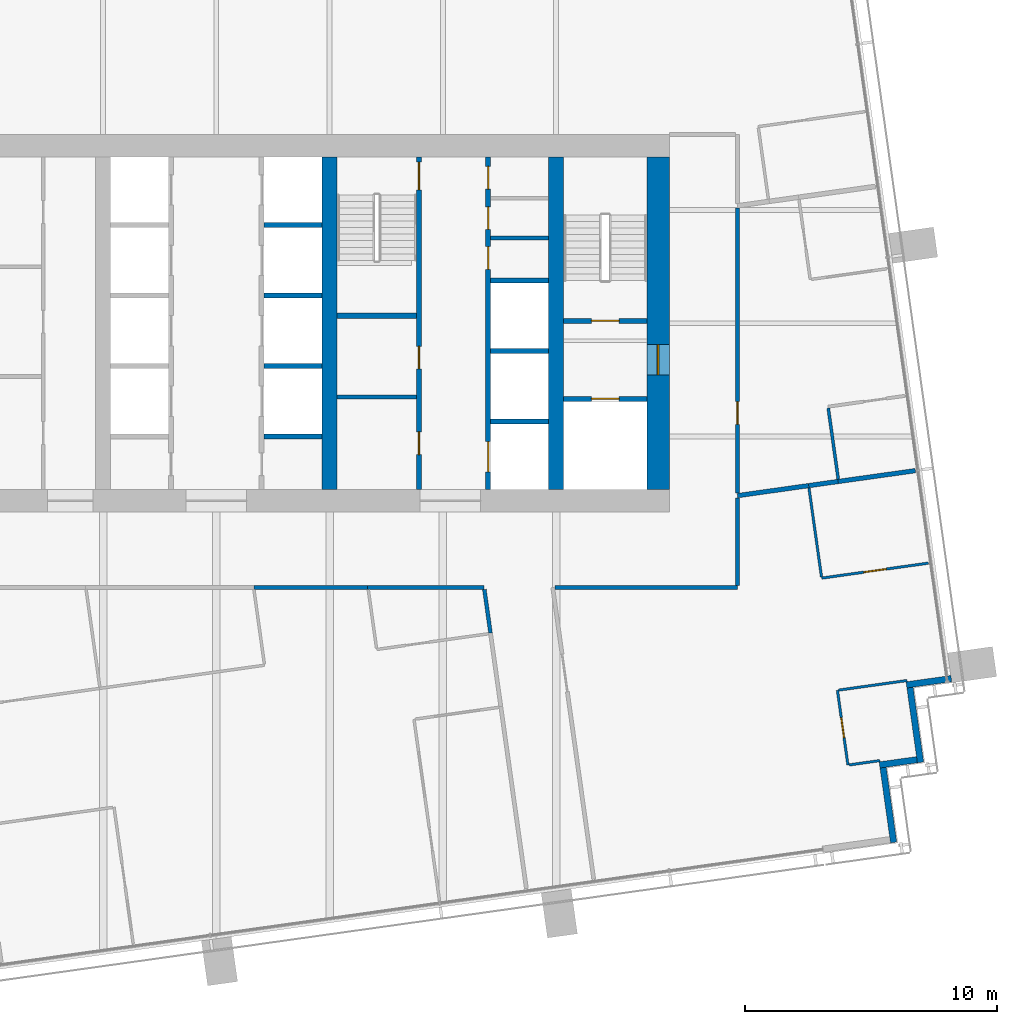
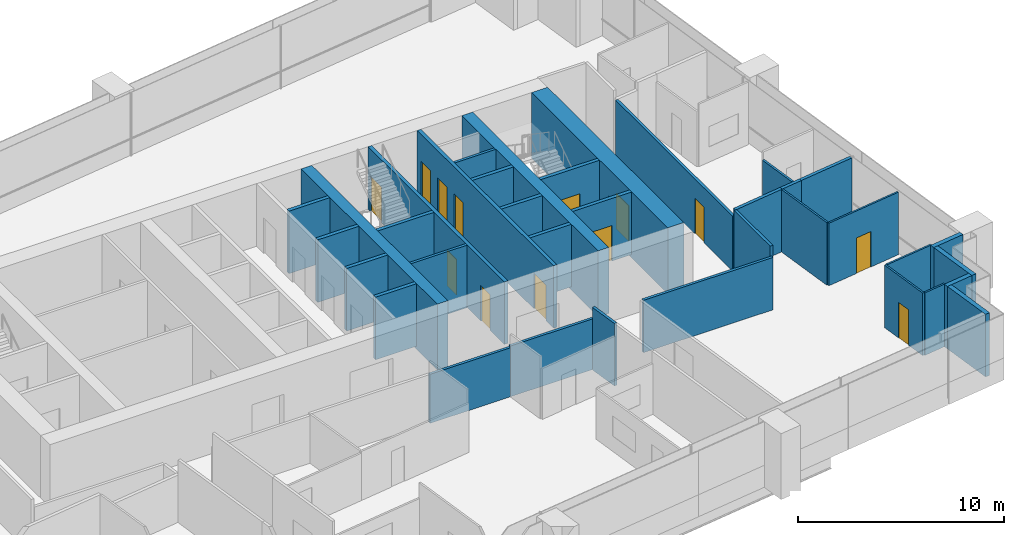
# One storey, part 11 of 18: 36 walls, 13 doors, 13 openings.
"""IFC4 building model written with IfcOpenShell, lengths in metres."""

from ifc_helpers import new_model, si_unit, direction, frame, frame_2d, origin, place, context, subcontext, project, spatial, rectangle, extrude, material, layer, layer_set, type_object, element, fill, save


model = new_model("IFC4")

# Units and contexts
model_context = context("Model", 3, precision=1e-05, world=origin(), true_north=direction((0.0, 1.0)))
body_context = subcontext(model_context, "Body", "Model", "MODEL_VIEW")
ifc_project = project(units=[si_unit("LENGTHUNIT", "METRE"), si_unit("AREAUNIT", "SQUARE_METRE"), si_unit("VOLUMEUNIT", "CUBIC_METRE"), si_unit("PLANEANGLEUNIT", "RADIAN"), si_unit("MASSUNIT", "GRAM", prefix="KILO")], contexts=[model_context])

# Site, building, storey
site_placement = place(None, origin())
site = spatial("IfcSite", under=ifc_project, at=site_placement, CompositionType="ELEMENT")
building_placement = place(site_placement, origin())
building = spatial("IfcBuilding", under=site, at=building_placement, Name="Rattan Terrace Tower", CompositionType="ELEMENT")
storey_placement = place(building_placement, frame((0.0, 0.0, 188.0)))
storey = spatial("IfcBuildingStorey", under=building, at=storey_placement, Name="L43", CompositionType="ELEMENT", Elevation=188.0)

# Walls
ifc_material_1 = material(Name="Gypsum board partition")
ifc_layer_1 = layer(ifc_material_1, 0.14990234375)
ifc_layer_set_1 = layer_set([ifc_layer_1], Name="Core partition 150")
wall_type_1 = type_object("IfcWallType", Name="Core partition 150", PredefinedType="PARTITIONING", material=ifc_layer_set_1)
wall_1_placement = place(storey_placement, frame((4.800048828125, -2.927978515625, 0.0), z_axis=(0.0, 0.0, 1.0), x_axis=(1.0, 0.0, 0.0)))
element("IfcWall", 1, at=wall_1_placement, inside=storey, type_object=wall_type_1, Name="Toilet wall", PredefinedType="PARTITIONING", context=body_context, shape_type="SweptSolid", body=[
    extrude(rectangle(XDim=3.14990234375, YDim=0.14990234375, at=frame_2d((1.574951171875, 0.0))), origin(), (0.0, 0.0, 1.0), 3.699951171875),
])
wall_2_placement = place(storey_placement, frame((10.89990234375, 3.384033203125, 0.0), z_axis=(0.0, 0.0, 1.0), x_axis=(1.0, 0.0, 0.0)))
element("IfcWall", 2, at=wall_2_placement, inside=storey, type_object=wall_type_1, Name="Riser room wall", PredefinedType="PARTITIONING", context=body_context, shape_type="SweptSolid", body=[
    extrude(rectangle(XDim=2.300048828125, YDim=0.14990234375, at=frame_2d((1.14990234375, 0.0))), origin(), (0.0, 0.0, 1.0), 3.699951171875),
])

# Wall, opening, door
ifc_material_2 = material(Name="Gypsum board partition")
ifc_layer_2 = layer(ifc_material_2, 0.199951171875)
ifc_layer_set_2 = layer_set([ifc_layer_2], Name="Core partition 200")
wall_type_2 = type_object("IfcWallType", Name="Core partition 200", PredefinedType="PARTITIONING", material=ifc_layer_set_2)
wall_3_placement = place(storey_placement, frame((13.800048828125, -3.0, 0.0), z_axis=(0.0, 0.0, 1.0), x_axis=(1.0, 0.0, 0.0)))
wall_3 = element("IfcWall", 3, at=wall_3_placement, inside=storey, type_object=wall_type_2, Name="Fire-fighting lobby wall", PredefinedType="PARTITIONING", context=body_context, shape_type="SweptSolid", body=[
    extrude(rectangle(XDim=3.300048828125, YDim=0.199951171875, at=frame_2d((1.64990234375, 0.0))), origin(), (0.0, 0.0, 1.0), 3.699951171875),
])
opening_1_placement = place(wall_3_placement, frame((1.10009765625, 0.0, 0.0)))
opening_1 = element("IfcOpeningElement", 4, at=opening_1_placement, cuts=wall_3, Name="Opening L43-LD-FF2", PredefinedType="OPENING", context=body_context, shape_type="SweptSolid", body=[
    extrude(rectangle(XDim=1.10009765625, YDim=2.10009765625, at=frame_2d((0.550048828125, 1.050048828125))), frame((0.0, 0.110595703125, 0.0), z_axis=(0.0, -1.0, 0.0), x_axis=(1.0, 0.0, 0.0)), (0.0, 0.0, 1.0), 0.220947265625),
])
ifc_material_3 = material(Name="Brushed stainless landing door panel")
door_type_1 = type_object("IfcDoorType", Name="Core lift landing door 1100", OperationType="DOUBLE_DOOR_SLIDING", PredefinedType="DOOR", material=ifc_material_3)
door_1_placement = place(opening_1_placement, origin())
door_1 = element("IfcDoor", 5, at=door_1_placement, inside=storey, type_object=door_type_1, Name="Door L43-LD-FF2", OperationType="DOUBLE_DOOR_SLIDING", OverallHeight=2.10009765625, OverallWidth=1.10009765625, PredefinedType="DOOR", context=body_context, shape_type="SweptSolid", body=[
    extrude(rectangle(XDim=1.10009765625, YDim=2.10009765625, at=frame_2d((0.550048828125, 1.050048828125))), frame((0.0, 0.02490234375, 0.0), z_axis=(0.0, -1.0, 0.0), x_axis=(1.0, 0.0, 0.0)), (0.0, 0.0, 1.0), 0.050048828125),
])
fill(opening_1, door_1)

wall_4_placement = place(storey_placement, frame((13.800048828125, 0.10009765625, 0.0), z_axis=(0.0, 0.0, 1.0), x_axis=(1.0, 0.0, 0.0)))
wall_4 = element("IfcWall", 6, at=wall_4_placement, inside=storey, type_object=wall_type_2, Name="Stair enclosure wall", PredefinedType="PARTITIONING", context=body_context, shape_type="SweptSolid", body=[
    extrude(rectangle(XDim=3.300048828125, YDim=0.199951171875, at=frame_2d((1.64990234375, 0.0))), origin(), (0.0, 0.0, 1.0), 3.699951171875),
])
opening_2_placement = place(wall_4_placement, frame((1.10009765625, 0.0, 0.0)))
opening_2 = element("IfcOpeningElement", 7, at=opening_2_placement, cuts=wall_4, Name="Opening L43-D004", PredefinedType="OPENING", context=body_context, shape_type="SweptSolid", body=[
    extrude(rectangle(XDim=1.10009765625, YDim=2.10009765625, at=frame_2d((0.550048828125, 1.050048828125))), frame((0.0, 0.110595703125, 0.0), z_axis=(0.0, -1.0, 0.0), x_axis=(1.0, 0.0, 0.0)), (0.0, 0.0, 1.0), 0.220947265625),
])
ifc_material_4 = material(Name="Hollow-metal fire door leaf")
door_type_2 = type_object("IfcDoorType", Name="Core stair door 1100", OperationType="NOTDEFINED", PredefinedType="DOOR", material=ifc_material_4)
door_2_placement = place(opening_2_placement, origin())
door_2 = element("IfcDoor", 8, at=door_2_placement, inside=storey, type_object=door_type_2, Name="Door L43-D004", OperationType="SINGLE_SWING_RIGHT", OverallHeight=2.10009765625, OverallWidth=1.10009765625, PredefinedType="DOOR", context=body_context, shape_type="SweptSolid", body=[
    extrude(rectangle(XDim=1.10009765625, YDim=2.10009765625, at=frame_2d((0.550048828125, 1.050048828125))), frame((0.0, 0.02490234375, 0.0), z_axis=(0.0, -1.0, 0.0), x_axis=(1.0, 0.0, 0.0)), (0.0, 0.0, 1.0), 0.050048828125),
])
fill(opening_2, door_2)

# Wall, openings, doors
wall_5_placement = place(storey_placement, frame((8.050048828125, -6.60009765625, 0.0), z_axis=(0.0, 0.0, 1.0), x_axis=(0.0, 1.0, 0.0)))
wall_5 = element("IfcWall", 9, at=wall_5_placement, inside=storey, type_object=wall_type_2, Name="Lobby wall west", PredefinedType="PARTITIONING", context=body_context, shape_type="SweptSolid", body=[
    extrude(rectangle(XDim=13.2001953125, YDim=0.199951171875, at=frame_2d((6.60009765625, 0.0))), origin(), (0.0, 0.0, 1.0), 3.699951171875),
])
opening_3_placement = place(wall_5_placement, frame((1.385986328125, 0.0, 0.0)))
opening_3 = element("IfcOpeningElement", 10, at=opening_3_placement, cuts=wall_5, Name="Opening L43-D012", PredefinedType="OPENING", context=body_context, shape_type="SweptSolid", body=[
    extrude(rectangle(XDim=0.89990234375, YDim=2.10009765625, at=frame_2d((0.449951171875, 1.050048828125))), frame((0.0, 0.110595703125, 0.0), z_axis=(0.0, -1.0, 0.0), x_axis=(1.0, 0.0, 0.0)), (0.0, 0.0, 1.0), 0.220947265625),
])
opening_4_placement = place(wall_5_placement, frame((4.785888671875, 0.0, 0.0)))
opening_4 = element("IfcOpeningElement", 11, at=opening_4_placement, cuts=wall_5, Name="Opening L43-D013", PredefinedType="OPENING", context=body_context, shape_type="SweptSolid", body=[
    extrude(rectangle(XDim=0.89990234375, YDim=2.10009765625, at=frame_2d((0.449951171875, 1.050048828125))), frame((0.0, 0.110595703125, 0.0), z_axis=(0.0, -1.0, 0.0), x_axis=(1.0, 0.0, 0.0)), (0.0, 0.0, 1.0), 0.220947265625),
])
opening_5_placement = place(wall_5_placement, frame((11.89990234375, 0.0, 0.0)))
opening_5 = element("IfcOpeningElement", 12, at=opening_5_placement, cuts=wall_5, Name="Opening L43-D014", PredefinedType="OPENING", context=body_context, shape_type="SweptSolid", body=[
    extrude(rectangle(XDim=1.10009765625, YDim=2.10009765625, at=frame_2d((0.550048828125, 1.050048828125))), frame((0.0, 0.110595703125, 0.0), z_axis=(0.0, -1.0, 0.0), x_axis=(1.0, 0.0, 0.0)), (0.0, 0.0, 1.0), 0.220947265625),
])
door_3_placement = place(opening_5_placement, origin())
door_3 = element("IfcDoor", 13, at=door_3_placement, inside=storey, type_object=door_type_2, Name="Door L43-D014", OperationType="SINGLE_SWING_LEFT", OverallHeight=2.10009765625, OverallWidth=1.10009765625, PredefinedType="DOOR", context=body_context, shape_type="SweptSolid", body=[
    extrude(rectangle(XDim=1.10009765625, YDim=2.10009765625, at=frame_2d((0.550048828125, 1.050048828125))), frame((0.0, 0.02490234375, 0.0), z_axis=(0.0, -1.0, 0.0), x_axis=(1.0, 0.0, 0.0)), (0.0, 0.0, 1.0), 0.050048828125),
])
fill(opening_5, door_3)
ifc_material_5 = material(Name="Hollow-metal fire door leaf")
door_type_3 = type_object("IfcDoorType", Name="Core toilet door 900", OperationType="NOTDEFINED", PredefinedType="DOOR", material=ifc_material_5)
door_4_placement = place(opening_3_placement, origin())
door_4 = element("IfcDoor", 14, at=door_4_placement, inside=storey, type_object=door_type_3, Name="Door L43-D012", OperationType="SINGLE_SWING_LEFT", OverallHeight=2.10009765625, OverallWidth=0.89990234375, PredefinedType="DOOR", context=body_context, shape_type="SweptSolid", body=[
    extrude(rectangle(XDim=0.89990234375, YDim=2.10009765625, at=frame_2d((0.449951171875, 1.050048828125))), frame((0.0, 0.02490234375, 0.0), z_axis=(0.0, -1.0, 0.0), x_axis=(1.0, 0.0, 0.0)), (0.0, 0.0, 1.0), 0.050048828125),
])
fill(opening_3, door_4)
door_5_placement = place(opening_4_placement, origin())
door_5 = element("IfcDoor", 15, at=door_5_placement, inside=storey, type_object=door_type_3, Name="Door L43-D013", OperationType="SINGLE_SWING_RIGHT", OverallHeight=2.10009765625, OverallWidth=0.89990234375, PredefinedType="DOOR", context=body_context, shape_type="SweptSolid", body=[
    extrude(rectangle(XDim=0.89990234375, YDim=2.10009765625, at=frame_2d((0.449951171875, 1.050048828125))), frame((0.0, 0.02490234375, 0.0), z_axis=(0.0, -1.0, 0.0), x_axis=(1.0, 0.0, 0.0)), (0.0, 0.0, 1.0), 0.050048828125),
])
fill(opening_4, door_5)

# Wall
wall_6_placement = place(storey_placement, frame((4.800048828125, 0.300048828125, 0.0), z_axis=(0.0, 0.0, 1.0), x_axis=(1.0, 0.0, 0.0)))
element("IfcWall", 16, at=wall_6_placement, inside=storey, type_object=wall_type_2, Name="Stair enclosure wall", PredefinedType="PARTITIONING", context=body_context, shape_type="SweptSolid", body=[
    extrude(rectangle(XDim=3.14990234375, YDim=0.199951171875, at=frame_2d((1.574951171875, 0.0))), origin(), (0.0, 0.0, 1.0), 3.699951171875),
])

# Wall, opening, door
ifc_material_6 = material(Name="Concrete C60/75", Category="concrete")
ifc_layer_3 = layer(ifc_material_6, 0.89990234375)
ifc_layer_set_3 = layer_set([ifc_layer_3], Name="Core ring wall 900 C60/75")
wall_type_3 = type_object("IfcWallType", Name="Core ring wall 900 C60/75", PredefinedType="SHEAR", material=ifc_layer_set_3)
wall_7_placement = place(storey_placement, frame((17.550048828125, -6.60009765625, -0.199951171875), z_axis=(0.0, 0.0, 1.0), x_axis=(0.0, 1.0, 0.0)))
wall_7 = element("IfcWall", 17, at=wall_7_placement, inside=storey, type_object=wall_type_3, Name="Rear core wall east", PredefinedType="SHEAR", context=body_context, shape_type="SweptSolid", body=[
    extrude(rectangle(XDim=13.2001953125, YDim=0.89990234375, at=frame_2d((6.60009765625, 0.0))), origin(), (0.0, 0.0, 1.0), 3.89990234375),
])
opening_6_placement = place(wall_7_placement, frame((4.550048828125, 0.0, 0.199951171875)))
opening_6 = element("IfcOpeningElement", 18, at=opening_6_placement, cuts=wall_7, Name="Opening L43-D003", PredefinedType="OPENING", context=body_context, shape_type="SweptSolid", body=[
    extrude(rectangle(XDim=1.199951171875, YDim=2.10009765625, at=frame_2d((0.60009765625, 1.050048828125))), frame((0.0, 0.46044921875, 0.0), z_axis=(0.0, -1.0, 0.0), x_axis=(1.0, 0.0, 0.0)), (0.0, 0.0, 1.0), 0.9208984375),
])
ifc_material_7 = material(Name="Hollow-metal fire door leaf")
door_type_4 = type_object("IfcDoorType", Name="Core fire-fighting lobby door 1200", OperationType="NOTDEFINED", PredefinedType="DOOR", material=ifc_material_7)
door_6_placement = place(opening_6_placement, origin())
door_6 = element("IfcDoor", 19, at=door_6_placement, inside=storey, type_object=door_type_4, Name="Door L43-D003", OperationType="SINGLE_SWING_LEFT", OverallHeight=2.10009765625, OverallWidth=1.199951171875, PredefinedType="DOOR", context=body_context, shape_type="SweptSolid", body=[
    extrude(rectangle(XDim=1.199951171875, YDim=2.10009765625, at=frame_2d((0.60009765625, 1.050048828125))), frame((0.0, 0.02490234375, 0.0), z_axis=(0.0, -1.0, 0.0), x_axis=(1.0, 0.0, 0.0)), (0.0, 0.0, 1.0), 0.050048828125),
])
fill(opening_6, door_6)

# Walls
ifc_material_8 = material(Name="Concrete C60/75", Category="concrete")
ifc_layer_4 = layer(ifc_material_8, 0.60009765625)
ifc_layer_set_4 = layer_set([ifc_layer_4], Name="Core spine wall 600 C60/75")
wall_type_4 = type_object("IfcWallType", Name="Core spine wall 600 C60/75", PredefinedType="SHEAR", material=ifc_layer_set_4)
for number, where, z_axis, x_axis, name in (
    (20, (4.5, -6.60009765625, -0.199951171875), (0.0, 0.0, 1.0), (0.0, 1.0, 0.0), "Core spine wall 3"),
    (21, (13.5, -6.60009765625, -0.199951171875), (0.0, 0.0, 1.0), (0.0, 1.0, 0.0), "Core spine wall 4"),
):
    element("IfcWall", number, at=place(storey_placement, frame(where, z_axis=z_axis, x_axis=x_axis)), inside=storey, type_object=wall_type_4, Name=name, PredefinedType="SHEAR", context=body_context, shape_type="SweptSolid", body=[
        extrude(rectangle(XDim=13.2001953125, YDim=0.60009765625, at=frame_2d((6.60009765625, 0.0))), origin(), (0.0, 0.0, 1.0), 3.89990234375),
    ])
ifc_material_9 = material(Name="Insulated aluminium-clad stud wall", Category="aluminium")
ifc_layer_5 = layer(ifc_material_9, 0.25)
ifc_layer_set_5 = layer_set([ifc_layer_5], Name="Facade Riser Wall 250")
wall_type_5 = type_object("IfcWallType", Name="Facade Riser Wall 250", PredefinedType="SOLIDWALL", material=ifc_layer_set_5)
wall_8_placement = place(storey_placement, frame((26.9052734375, -20.6220703125, 0.0), z_axis=(0.0, 0.0, 1.0), x_axis=(-0.139313431826, 0.990248336385, 0.0)))
element("IfcWall", 22, at=wall_8_placement, inside=storey, type_object=wall_type_5, Name="Riser wall L43-2", PredefinedType="SOLIDWALL", context=body_context, shape_type="SweptSolid", body=[
    extrude(rectangle(XDim=3.000244140625, YDim=0.25, at=frame_2d((1.5, 0.0))), origin(), (0.0, 0.0, 1.0), 3.699951171875),
])
wall_9_placement = place(storey_placement, frame((26.34619140625, -17.54443359375, 0.0), z_axis=(0.0, 0.0, 1.0), x_axis=(0.990368090482, 0.13845954411, 0.0)))
element("IfcWall", 23, at=wall_9_placement, inside=storey, type_object=wall_type_5, Name="Riser wall L43-3", PredefinedType="SOLIDWALL", context=body_context, shape_type="SweptSolid", body=[
    extrude(rectangle(XDim=1.50048828125, YDim=0.25, at=frame_2d((0.750244140625, 0.0))), origin(), (0.0, 0.0, 1.0), 3.699951171875),
])
wall_10_placement = place(storey_placement, frame((27.973388671875, -17.443115234375, 0.0), z_axis=(0.0, 0.0, 1.0), x_axis=(-0.139313431826, 0.990248336385, 0.0)))
element("IfcWall", 24, at=wall_10_placement, inside=storey, type_object=wall_type_5, Name="Riser wall L43-4", PredefinedType="SOLIDWALL", context=body_context, shape_type="SweptSolid", body=[
    extrude(rectangle(XDim=3.000244140625, YDim=0.25, at=frame_2d((1.5, 0.0))), origin(), (0.0, 0.0, 1.0), 3.699951171875),
])
wall_11_placement = place(storey_placement, frame((27.414306640625, -14.36572265625, 0.0), z_axis=(0.0, 0.0, 1.0), x_axis=(0.990256286673, 0.139256908998, 0.0)))
element("IfcWall", 25, at=wall_11_placement, inside=storey, type_object=wall_type_5, Name="Riser wall L43-5", PredefinedType="SOLIDWALL", context=body_context, shape_type="SweptSolid", body=[
    extrude(rectangle(XDim=1.800537109375, YDim=0.25, at=frame_2d((0.900390625, 0.0))), origin(), (0.0, 0.0, 1.0), 3.699951171875),
])
ifc_material_10 = material(Name="Double steel stud acoustic partition, gypsum board, mineral wool, fire rated", Category="steel")
ifc_layer_6 = layer(ifc_material_10, 0.179931640625)
ifc_layer_set_6 = layer_set([ifc_layer_6], Name="Floors Acoustic Party Wall 180")
wall_type_6 = type_object("IfcWallType", Name="Floors Acoustic Party Wall 180", PredefinedType="PARTITIONING", material=ifc_layer_set_6)
wall_12_placement = place(storey_placement, frame((20.699951171875, -6.846923828125, 0.0), z_axis=(0.0, 0.0, 1.0), x_axis=(0.990258051292, 0.139244360214, 0.0)))
element("IfcWall", 26, at=wall_12_placement, inside=storey, type_object=wall_type_6, Name="pt-L43-036", PredefinedType="PARTITIONING", context=body_context, shape_type="SweptSolid", body=[
    extrude(rectangle(XDim=2.85791015625, YDim=0.179931640625, at=frame_2d((1.428955078125, 0.0))), origin(), (0.0, 0.0, 1.0), 3.699951171875),
])
wall_13_placement = place(storey_placement, frame((23.530029296875, -6.448974609375, 0.0), z_axis=(0.0, 0.0, 1.0), x_axis=(0.990293977152, 0.138988628372, 0.0)))
element("IfcWall", 27, at=wall_13_placement, inside=storey, type_object=wall_type_6, Name="pt-L43-037", PredefinedType="PARTITIONING", context=body_context, shape_type="SweptSolid", body=[
    extrude(rectangle(XDim=1.180419921875, YDim=0.179931640625, at=frame_2d((0.59033203125, 0.0))), origin(), (0.0, 0.0, 1.0), 3.699951171875),
])
wall_14_placement = place(storey_placement, frame((24.698974609375, -6.284912109375, 0.0), z_axis=(0.0, 0.0, 1.0), x_axis=(0.990293026317, 0.138995402899, 0.0)))
element("IfcWall", 28, at=wall_14_placement, inside=storey, type_object=wall_type_6, Name="pt-L43-038", PredefinedType="PARTITIONING", context=body_context, shape_type="SweptSolid", body=[
    extrude(rectangle(XDim=3.10009765625, YDim=0.179931640625, at=frame_2d((1.550048828125, 0.0))), origin(), (0.0, 0.0, 1.0), 3.699951171875),
])

# Wall, opening, door
ifc_material_11 = material(Name="Gypsum board partition on steel studs", Category="steel")
ifc_layer_7 = layer(ifc_material_11, 0.10009765625)
ifc_layer_set_7 = layer_set([ifc_layer_7], Name="Floors Partition 100")
wall_type_7 = type_object("IfcWallType", Name="Floors Partition 100", PredefinedType="PARTITIONING", material=ifc_layer_set_7)
wall_15_placement = place(storey_placement, frame((24.673095703125, -14.5791015625, 0.0), z_axis=(0.0, 0.0, 1.0), x_axis=(0.138994228812, -0.990293191109, 0.0)))
wall_15 = element("IfcWall", 29, at=wall_15_placement, inside=storey, type_object=wall_type_7, Name="pt-L43-031", PredefinedType="PARTITIONING", context=body_context, shape_type="SweptSolid", body=[
    extrude(rectangle(XDim=3.0, YDim=0.10009765625, at=frame_2d((1.5, 0.0))), origin(), (0.0, 0.0, 1.0), 3.699951171875),
])
opening_7_placement = place(wall_15_placement, frame((1.10009765625, 0.0, 0.0)))
opening_7 = element("IfcOpeningElement", 30, at=opening_7_placement, cuts=wall_15, Name="Opening L43-D104", PredefinedType="OPENING", context=body_context, shape_type="SweptSolid", body=[
    extrude(rectangle(XDim=0.800048828125, YDim=2.10009765625, at=frame_2d((0.39990234375, 1.050048828125))), frame((0.0, 0.060546875, 0.0), z_axis=(0.0, -1.0, 0.0), x_axis=(1.0, 0.0, 0.0)), (0.0, 0.0, 1.0), 0.12109375),
])
ifc_material_12 = material(Name="Solid core timber door, painted", Category="wood")
door_type_5 = type_object("IfcDoorType", Name="Floors Store Door 800x2100", OperationType="NOTDEFINED", PredefinedType="DOOR", material=ifc_material_12)
door_7_placement = place(opening_7_placement, origin())
door_7 = element("IfcDoor", 31, at=door_7_placement, inside=storey, type_object=door_type_5, Name="d-L43-104", OperationType="SINGLE_SWING_LEFT", OverallHeight=2.10009765625, OverallWidth=0.800048828125, PredefinedType="DOOR", context=body_context, shape_type="SweptSolid", body=[
    extrude(rectangle(XDim=0.800048828125, YDim=2.10009765625, at=frame_2d((0.39990234375, 1.050048828125))), frame((0.0, 0.02490234375, 0.0), z_axis=(0.0, -1.0, 0.0), x_axis=(1.0, 0.0, 0.0)), (0.0, 0.0, 1.0), 0.050048828125),
])
fill(opening_7, door_7)

# Walls
wall_16_placement = place(storey_placement, frame((25.139892578125, -17.5439453125, 0.0), z_axis=(0.0, 0.0, 1.0), x_axis=(0.990174663817, 0.139836100968, 0.0)))
element("IfcWall", 32, at=wall_16_placement, inside=storey, type_object=wall_type_7, Name="pt-L43-032", PredefinedType="PARTITIONING", context=body_context, shape_type="SweptSolid", body=[
    extrude(rectangle(XDim=1.22900390625, YDim=0.10009765625, at=frame_2d((0.614501953125, 0.0))), origin(), (0.0, 0.0, 1.0), 3.699951171875),
])
wall_17_placement = place(storey_placement, frame((27.445068359375, -14.18994140625, 0.0), z_axis=(0.0, 0.0, 1.0), x_axis=(-0.990299764824, -0.138947384969, 0.0)))
element("IfcWall", 33, at=wall_17_placement, inside=storey, type_object=wall_type_7, Name="pt-L43-033", PredefinedType="PARTITIONING", context=body_context, shape_type="SweptSolid", body=[
    extrude(rectangle(XDim=2.749755859375, YDim=0.10009765625, at=frame_2d((1.375, 0.0))), origin(), (0.0, 0.0, 1.0), 3.699951171875),
])
wall_18_placement = place(storey_placement, frame((23.5419921875, -6.5380859375, 0.0), z_axis=(0.0, 0.0, 1.0), x_axis=(0.139477964322, -0.990225175134, 0.0)))
element("IfcWall", 34, at=wall_18_placement, inside=storey, type_object=wall_type_7, Name="pt-L43-034", PredefinedType="PARTITIONING", context=body_context, shape_type="SweptSolid", body=[
    extrude(rectangle(XDim=3.57080078125, YDim=0.10009765625, at=frame_2d((1.785400390625, 0.0))), origin(), (0.0, 0.0, 1.0), 3.699951171875),
])

# Wall, opening, door
wall_19_placement = place(storey_placement, frame((24.047119140625, -10.123046875, 0.0), z_axis=(0.0, 0.0, 1.0), x_axis=(0.990283364174, 0.139064224876, 0.0)))
wall_19 = element("IfcWall", 35, at=wall_19_placement, inside=storey, type_object=wall_type_7, Name="pt-L43-035", PredefinedType="PARTITIONING", context=body_context, shape_type="SweptSolid", body=[
    extrude(rectangle(XDim=4.2783203125, YDim=0.10009765625, at=frame_2d((2.13916015625, 0.0))), origin(), (0.0, 0.0, 1.0), 3.699951171875),
])
opening_8_placement = place(wall_19_placement, frame((1.68896484375, 0.0, 0.0)))
opening_8 = element("IfcOpeningElement", 36, at=opening_8_placement, cuts=wall_19, Name="Opening L43-D105", PredefinedType="OPENING", context=body_context, shape_type="SweptSolid", body=[
    extrude(rectangle(XDim=0.89990234375, YDim=2.10009765625, at=frame_2d((0.449951171875, 1.050048828125))), frame((0.0, 0.060546875, 0.0), z_axis=(0.0, -1.0, 0.0), x_axis=(1.0, 0.0, 0.0)), (0.0, 0.0, 1.0), 0.12109375),
])
ifc_material_13 = material(Name="Solid core timber door, painted", Category="wood")
door_type_6 = type_object("IfcDoorType", Name="Floors Door 900x2100", OperationType="NOTDEFINED", PredefinedType="DOOR", material=ifc_material_13)
door_8_placement = place(opening_8_placement, origin())
door_8 = element("IfcDoor", 37, at=door_8_placement, inside=storey, type_object=door_type_6, Name="d-L43-105", OperationType="SINGLE_SWING_RIGHT", OverallHeight=2.10009765625, OverallWidth=0.89990234375, PredefinedType="DOOR", context=body_context, shape_type="SweptSolid", body=[
    extrude(rectangle(XDim=0.89990234375, YDim=2.10009765625, at=frame_2d((0.449951171875, 1.050048828125))), frame((0.0, 0.02490234375, 0.0), z_axis=(0.0, -1.0, 0.0), x_axis=(1.0, 0.0, 0.0)), (0.0, 0.0, 1.0), 0.050048828125),
])
fill(opening_8, door_8)

# Walls
ifc_material_14 = material(Name="Gypsum board partition on steel studs, fire rated", Category="steel")
ifc_layer_8 = layer(ifc_material_14, 0.14990234375)
ifc_layer_set_8 = layer_set([ifc_layer_8], Name="Floors Tenancy Wall 150")
wall_type_8 = type_object("IfcWallType", Name="Floors Tenancy Wall 150", PredefinedType="PARTITIONING", material=ifc_layer_set_8)
wall_20_placement = place(storey_placement, frame((20.699951171875, -10.5, 0.0), z_axis=(0.0, 0.0, 1.0), x_axis=(-1.0, 0.0, 0.0)))
element("IfcWall", 38, at=wall_20_placement, inside=storey, type_object=wall_type_8, Name="pt-L43-005", PredefinedType="PARTITIONING", context=body_context, shape_type="SweptSolid", body=[
    extrude(rectangle(XDim=7.2509765625, YDim=0.14990234375, at=frame_2d((3.62548828125, 0.0))), origin(), (0.0, 0.0, 1.0), 3.10009765625),
])
wall_21_placement = place(storey_placement, frame((20.699951171875, -6.93603515625, 0.0), z_axis=(0.0, 0.0, 1.0), x_axis=(0.0, -1.0, 0.0)))
element("IfcWall", 39, at=wall_21_placement, inside=storey, type_object=wall_type_8, Name="pt-L43-006", PredefinedType="PARTITIONING", context=body_context, shape_type="SweptSolid", body=[
    extrude(rectangle(XDim=3.489013671875, YDim=0.14990234375, at=frame_2d((1.74462890625, 0.0))), origin(), (0.0, 0.0, 1.0), 3.699951171875),
])

# Wall, opening, door
wall_22_placement = place(storey_placement, frame((20.699951171875, 4.575927734375, 0.0), z_axis=(0.0, 0.0, 1.0), x_axis=(0.0, -1.0, 0.0)))
wall_22 = element("IfcWall", 40, at=wall_22_placement, inside=storey, type_object=wall_type_8, Name="pt-L43-010", PredefinedType="PARTITIONING", context=body_context, shape_type="SweptSolid", body=[
    extrude(rectangle(XDim=11.322021484375, YDim=0.14990234375, at=frame_2d((5.6611328125, 0.0))), origin(), (0.0, 0.0, 1.0), 3.25),
])
opening_9_placement = place(wall_22_placement, frame((7.69091796875, 0.0, 0.0)))
opening_9 = element("IfcOpeningElement", 41, at=opening_9_placement, cuts=wall_22, Name="Opening L43-D107", PredefinedType="OPENING", context=body_context, shape_type="SweptSolid", body=[
    extrude(rectangle(XDim=0.89990234375, YDim=2.10009765625, at=frame_2d((0.449951171875, 1.050048828125))), frame((0.0, 0.08544921875, 0.0), z_axis=(0.0, -1.0, 0.0), x_axis=(1.0, 0.0, 0.0)), (0.0, 0.0, 1.0), 0.1708984375),
])
ifc_material_15 = material(Name="Steel fire door set", Category="steel")
door_type_7 = type_object("IfcDoorType", Name="Floors Fire Door FD30S 900x2100", OperationType="NOTDEFINED", PredefinedType="DOOR", material=ifc_material_15)
door_9_placement = place(opening_9_placement, origin())
door_9 = element("IfcDoor", 42, at=door_9_placement, inside=storey, type_object=door_type_7, Name="d-L43-107", OperationType="SINGLE_SWING_RIGHT", OverallHeight=2.10009765625, OverallWidth=0.89990234375, PredefinedType="DOOR", context=body_context, shape_type="SweptSolid", body=[
    extrude(rectangle(XDim=0.89990234375, YDim=2.10009765625, at=frame_2d((0.449951171875, 1.050048828125))), frame((0.0, 0.02490234375, 0.0), z_axis=(0.0, -1.0, 0.0), x_axis=(1.0, 0.0, 0.0)), (0.0, 0.0, 1.0), 0.050048828125),
])
fill(opening_9, door_9)

# Walls
wall_23_placement = place(storey_placement, frame((6.006103515625, -10.5, 0.0), z_axis=(0.0, 0.0, 1.0), x_axis=(-1.0, 0.0, 0.0)))
element("IfcWall", 43, at=wall_23_placement, inside=storey, type_object=wall_type_8, Name="pt-L43-016", PredefinedType="PARTITIONING", context=body_context, shape_type="SweptSolid", body=[
    extrude(rectangle(XDim=4.504150390625, YDim=0.14990234375, at=frame_2d((2.251953125, 0.0))), origin(), (0.0, 0.0, 1.0), 2.89990234375),
])
wall_24_placement = place(storey_placement, frame((10.636962890625, -10.5, 0.0), z_axis=(0.0, 0.0, 1.0), x_axis=(-1.0, 0.0, 0.0)))
element("IfcWall", 44, at=wall_24_placement, inside=storey, type_object=wall_type_8, Name="pt-L43-023", PredefinedType="PARTITIONING", context=body_context, shape_type="SweptSolid", body=[
    extrude(rectangle(XDim=4.630859375, YDim=0.14990234375, at=frame_2d((2.3154296875, 0.0))), origin(), (0.0, 0.0, 1.0), 3.0),
])
wall_25_placement = place(storey_placement, frame((10.89111328125, -12.301025390625, 0.0), z_axis=(0.0, 0.0, 1.0), x_axis=(-0.139344862723, 0.990243914009, 0.0)))
element("IfcWall", 45, at=wall_25_placement, inside=storey, type_object=wall_type_8, Name="pt-L43-024", PredefinedType="PARTITIONING", context=body_context, shape_type="SweptSolid", body=[
    extrude(rectangle(XDim=1.7451171875, YDim=0.14990234375, at=frame_2d((0.87255859375, 0.0))), origin(), (0.0, 0.0, 1.0), 3.699951171875),
])
ifc_material_16 = material(Name="Moisture resistant gypsum board partition on steel studs with service cavity", Category="steel")
ifc_layer_9 = layer(ifc_material_16, 0.1201171875)
ifc_layer_set_9 = layer_set([ifc_layer_9], Name="Floors Wet Wall 120")
wall_type_9 = type_object("IfcWallType", Name="Floors Wet Wall 120", PredefinedType="PARTITIONING", material=ifc_layer_set_9)
wall_26_placement = place(storey_placement, frame((24.30908203125, -3.37109375, 0.0), z_axis=(0.0, 0.0, 1.0), x_axis=(0.139298147854, -0.990250486495, 0.0)))
element("IfcWall", 46, at=wall_26_placement, inside=storey, type_object=wall_type_9, Name="pt-L43-040", PredefinedType="PARTITIONING", context=body_context, shape_type="SweptSolid", body=[
    extrude(rectangle(XDim=2.849853515625, YDim=0.1201171875, at=frame_2d((1.4248046875, 0.0))), origin(), (0.0, 0.0, 1.0), 3.25),
])
ifc_material_17 = material(Name="Gypsum shaft wall system")
ifc_layer_10 = layer(ifc_material_17, 0.199951171875)
ifc_layer_set_10 = layer_set([ifc_layer_10], Name="Lift shaft wall 200")
wall_type_10 = type_object("IfcWallType", Name="Lift shaft wall 200", PredefinedType="PARTITIONING", material=ifc_layer_set_10)
for number, where, z_axis, x_axis, name in (
    (47, (1.89990234375, -1.699951171875, 0.0), (0.0, 0.0, 1.0), (1.0, 0.0, 0.0), "Lift shaft wall"),
    (48, (1.89990234375, 1.10009765625, 0.0), (0.0, 0.0, 1.0), (1.0, 0.0, 0.0), "Lift shaft wall"),
    (49, (1.89990234375, 3.89990234375, 0.0), (0.0, 0.0, 1.0), (1.0, 0.0, 0.0), "Lift shaft wall"),
    (50, (1.89990234375, -4.5, 0.0), (0.0, 0.0, 1.0), (1.0, 0.0, 0.0), "Lift shaft wall"),
):
    element("IfcWall", number, at=place(storey_placement, frame(where, z_axis=z_axis, x_axis=x_axis)), inside=storey, type_object=wall_type_10, Name=name, PredefinedType="PARTITIONING", context=body_context, shape_type="SweptSolid", body=[
        extrude(rectangle(XDim=2.300048828125, YDim=0.199951171875, at=frame_2d((1.14990234375, 0.0))), origin(), (0.0, 0.0, 1.0), 3.699951171875),
    ])

# Wall, openings, doors
wall_27_placement = place(storey_placement, frame((10.800048828125, -6.60009765625, 0.0), z_axis=(0.0, 0.0, 1.0), x_axis=(0.0, 1.0, 0.0)))
wall_27 = element("IfcWall", 51, at=wall_27_placement, inside=storey, type_object=wall_type_10, Name="Lift shaft front wall", PredefinedType="PARTITIONING", context=body_context, shape_type="SweptSolid", body=[
    extrude(rectangle(XDim=13.2001953125, YDim=0.199951171875, at=frame_2d((6.60009765625, 0.0))), origin(), (0.0, 0.0, 1.0), 3.699951171875),
])
opening_10_placement = place(wall_27_placement, frame((0.699951171875, 0.0, 0.0)))
opening_10 = element("IfcOpeningElement", 52, at=opening_10_placement, cuts=wall_27, Name="Opening L43-LD-SV1", PredefinedType="OPENING", context=body_context, shape_type="SweptSolid", body=[
    extrude(rectangle(XDim=1.199951171875, YDim=2.10009765625, at=frame_2d((0.60009765625, 1.050048828125))), frame((0.0, 0.110595703125, 0.0), z_axis=(0.0, -1.0, 0.0), x_axis=(1.0, 0.0, 0.0)), (0.0, 0.0, 1.0), 0.220947265625),
])
opening_11_placement = place(wall_27_placement, frame((8.741943359375, 0.0, 0.0)))
opening_11 = element("IfcOpeningElement", 53, at=opening_11_placement, cuts=wall_27, Name="Opening L43-D016", PredefinedType="OPENING", context=body_context, shape_type="SweptSolid", body=[
    extrude(rectangle(XDim=0.89990234375, YDim=2.10009765625, at=frame_2d((0.449951171875, 1.050048828125))), frame((0.0, 0.110595703125, 0.0), z_axis=(0.0, -1.0, 0.0), x_axis=(1.0, 0.0, 0.0)), (0.0, 0.0, 1.0), 0.220947265625),
])
opening_12_placement = place(wall_27_placement, frame((10.325927734375, 0.0, 0.0)))
opening_12 = element("IfcOpeningElement", 54, at=opening_12_placement, cuts=wall_27, Name="Opening L43-D017", PredefinedType="OPENING", context=body_context, shape_type="SweptSolid", body=[
    extrude(rectangle(XDim=0.89990234375, YDim=2.10009765625, at=frame_2d((0.449951171875, 1.050048828125))), frame((0.0, 0.110595703125, 0.0), z_axis=(0.0, -1.0, 0.0), x_axis=(1.0, 0.0, 0.0)), (0.0, 0.0, 1.0), 0.220947265625),
])
opening_13_placement = place(wall_27_placement, frame((11.93408203125, 0.0, 0.0)))
opening_13 = element("IfcOpeningElement", 55, at=opening_13_placement, cuts=wall_27, Name="Opening L43-D018", PredefinedType="OPENING", context=body_context, shape_type="SweptSolid", body=[
    extrude(rectangle(XDim=0.89990234375, YDim=2.10009765625, at=frame_2d((0.449951171875, 1.050048828125))), frame((0.0, 0.110595703125, 0.0), z_axis=(0.0, -1.0, 0.0), x_axis=(1.0, 0.0, 0.0)), (0.0, 0.0, 1.0), 0.220947265625),
])
ifc_material_18 = material(Name="Brushed stainless landing door panel")
door_type_8 = type_object("IfcDoorType", Name="Core lift landing door 1200", OperationType="DOUBLE_DOOR_SLIDING", PredefinedType="DOOR", material=ifc_material_18)
door_10_placement = place(opening_10_placement, origin())
door_10 = element("IfcDoor", 56, at=door_10_placement, inside=storey, type_object=door_type_8, Name="Door L43-LD-SV1", OperationType="DOUBLE_DOOR_SLIDING", OverallHeight=2.10009765625, OverallWidth=1.199951171875, PredefinedType="DOOR", context=body_context, shape_type="SweptSolid", body=[
    extrude(rectangle(XDim=1.199951171875, YDim=2.10009765625, at=frame_2d((0.60009765625, 1.050048828125))), frame((0.0, 0.02490234375, 0.0), z_axis=(0.0, -1.0, 0.0), x_axis=(1.0, 0.0, 0.0)), (0.0, 0.0, 1.0), 0.050048828125),
])
fill(opening_10, door_10)
ifc_material_19 = material(Name="Hollow-metal fire door leaf")
door_type_9 = type_object("IfcDoorType", Name="Core riser door 900", OperationType="NOTDEFINED", PredefinedType="DOOR", material=ifc_material_19)
door_11_placement = place(opening_11_placement, origin())
door_11 = element("IfcDoor", 57, at=door_11_placement, inside=storey, type_object=door_type_9, Name="Door L43-D016", OperationType="SINGLE_SWING_RIGHT", OverallHeight=2.10009765625, OverallWidth=0.89990234375, PredefinedType="DOOR", context=body_context, shape_type="SweptSolid", body=[
    extrude(rectangle(XDim=0.89990234375, YDim=2.10009765625, at=frame_2d((0.449951171875, 1.050048828125))), frame((0.0, 0.02490234375, 0.0), z_axis=(0.0, -1.0, 0.0), x_axis=(1.0, 0.0, 0.0)), (0.0, 0.0, 1.0), 0.050048828125),
])
fill(opening_11, door_11)
door_12_placement = place(opening_12_placement, origin())
door_12 = element("IfcDoor", 58, at=door_12_placement, inside=storey, type_object=door_type_9, Name="Door L43-D017", OperationType="SINGLE_SWING_LEFT", OverallHeight=2.10009765625, OverallWidth=0.89990234375, PredefinedType="DOOR", context=body_context, shape_type="SweptSolid", body=[
    extrude(rectangle(XDim=0.89990234375, YDim=2.10009765625, at=frame_2d((0.449951171875, 1.050048828125))), frame((0.0, 0.02490234375, 0.0), z_axis=(0.0, -1.0, 0.0), x_axis=(1.0, 0.0, 0.0)), (0.0, 0.0, 1.0), 0.050048828125),
])
fill(opening_12, door_12)
ifc_material_20 = material(Name="Hollow-metal fire door leaf")
door_type_10 = type_object("IfcDoorType", Name="Core service room door 900", OperationType="NOTDEFINED", PredefinedType="DOOR", material=ifc_material_20)
door_13_placement = place(opening_13_placement, origin())
door_13 = element("IfcDoor", 59, at=door_13_placement, inside=storey, type_object=door_type_10, Name="Door L43-D018", OperationType="SINGLE_SWING_RIGHT", OverallHeight=2.10009765625, OverallWidth=0.89990234375, PredefinedType="DOOR", context=body_context, shape_type="SweptSolid", body=[
    extrude(rectangle(XDim=0.89990234375, YDim=2.10009765625, at=frame_2d((0.449951171875, 1.050048828125))), frame((0.0, 0.02490234375, 0.0), z_axis=(0.0, -1.0, 0.0), x_axis=(1.0, 0.0, 0.0)), (0.0, 0.0, 1.0), 0.050048828125),
])
fill(opening_13, door_13)

# Walls
for number, where, z_axis, x_axis, name in (
    (60, (10.89990234375, -3.89990234375, 0.0), (0.0, 0.0, 1.0), (1.0, 0.0, 0.0), "Lift shaft wall"),
    (61, (10.89990234375, -1.10009765625, 0.0), (0.0, 0.0, 1.0), (1.0, 0.0, 0.0), "Lift shaft wall"),
    (62, (10.89990234375, 1.699951171875, 0.0), (0.0, 0.0, 1.0), (1.0, 0.0, 0.0), "Lift shaft wall"),
):
    element("IfcWall", number, at=place(storey_placement, frame(where, z_axis=z_axis, x_axis=x_axis)), inside=storey, type_object=wall_type_10, Name=name, PredefinedType="PARTITIONING", context=body_context, shape_type="SweptSolid", body=[
        extrude(rectangle(XDim=2.300048828125, YDim=0.199951171875, at=frame_2d((1.14990234375, 0.0))), origin(), (0.0, 0.0, 1.0), 3.699951171875),
    ])

save(model, "model.ifc")
